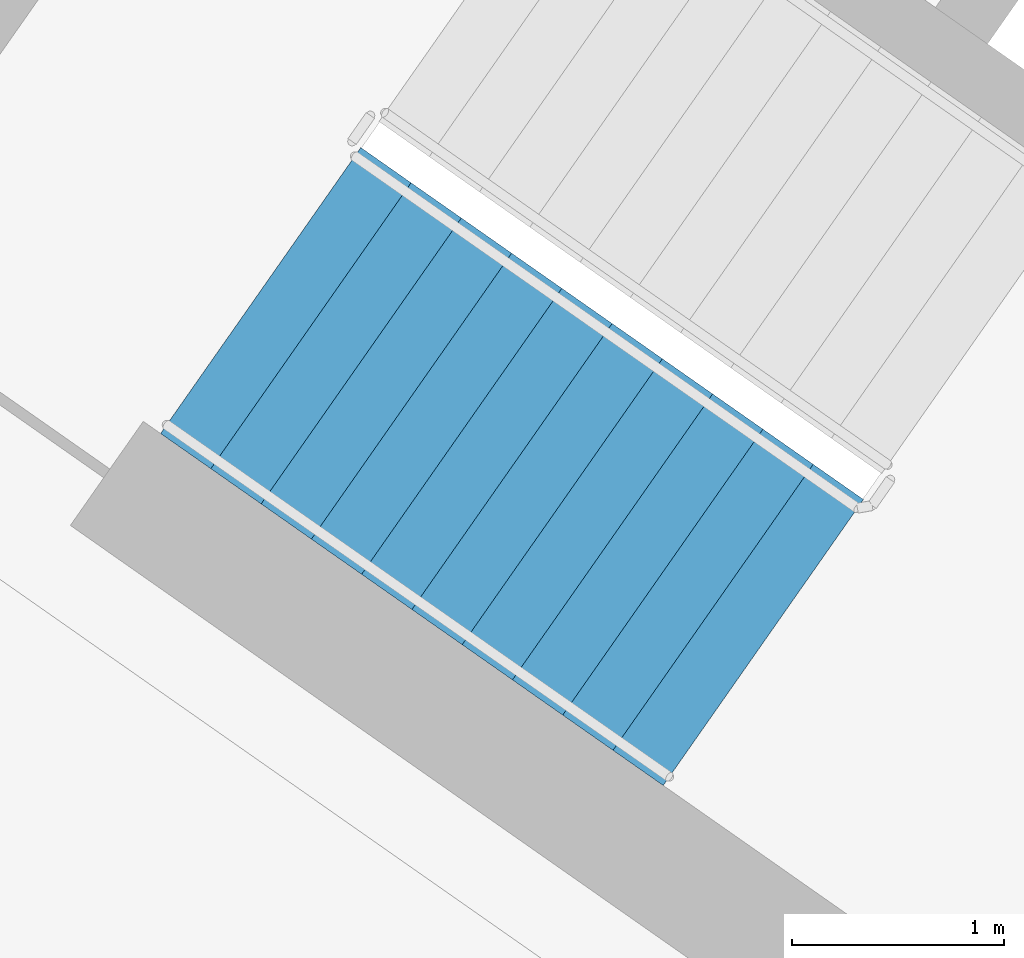
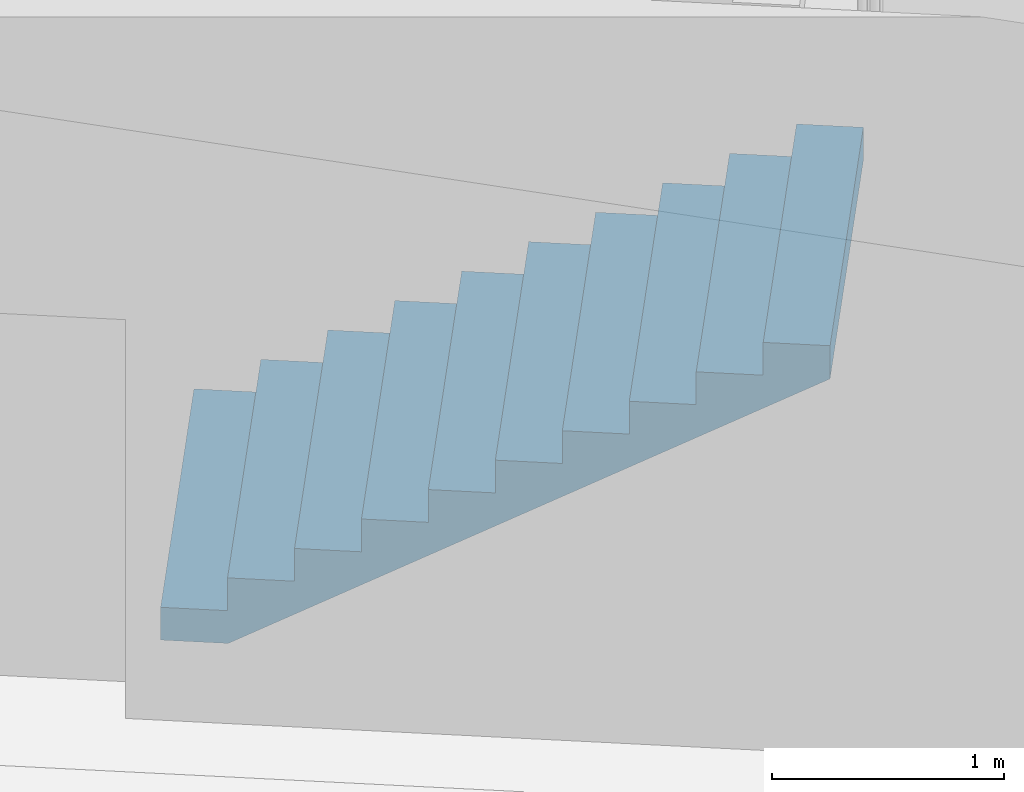
# One storey, part 10 of 28: 1 stair flight, 1 element without a shape of its own.
"""IFC4 building model written with IfcOpenShell, lengths in metres."""

from ifc_helpers import new_model, si_unit, direction, frame, origin, place, context, subcontext, project, spatial, faceted_brep, material, type_object, element, aggregate, save


model = new_model("IFC4")

# Units and contexts
model_context = context("Model", 3, precision=1e-05, world=origin(), true_north=direction((0.0, 1.0)))
body_context = subcontext(model_context, "Body", "Model", "MODEL_VIEW")
ifc_project = project(units=[si_unit("LENGTHUNIT", "METRE"), si_unit("AREAUNIT", "SQUARE_METRE"), si_unit("VOLUMEUNIT", "CUBIC_METRE"), si_unit("PLANEANGLEUNIT", "RADIAN"), si_unit("MASSUNIT", "GRAM", prefix="KILO")], contexts=[model_context])

# Site, building, storey
site_placement = place(None, origin())
site = spatial("IfcSite", under=ifc_project, at=site_placement, CompositionType="ELEMENT")
building_placement = place(site_placement, origin())
building = spatial("IfcBuilding", under=site, at=building_placement, Name="Qamariyya Broadcast Tower", CompositionType="ELEMENT")
storey_placement = place(building_placement, frame((0.0, 0.0, 269.5)))
storey = spatial("IfcBuildingStorey", under=building, at=storey_placement, Name="L65", CompositionType="ELEMENT", Elevation=269.5)

# Stair, stair flight
ifc_material = material(Name="Concrete C50/60", Category="concrete")
stair_type = type_object("IfcStairType", Name="Exit stair 22 risers of 173 mm", PredefinedType="HALF_TURN_STAIR", material=ifc_material)
stair_placement = place(storey_placement, origin())
stair = element("IfcStair", 1, at=stair_placement, inside=storey, type_object=stair_type, Name="L65 Stair W1", PredefinedType="HALF_TURN_STAIR")
stair_flight_type = type_object("IfcStairFlightType", Name="Exit stair flight 11 risers of 173 mm", PredefinedType="STRAIGHT", material=ifc_material)
stair_flight_placement = place(storey_placement, frame((-47.06884765625, -56.982666015625, 0.0), z_axis=(0.0, 0.0, 1.0), x_axis=(0.819152044289, -0.573576436351, 0.0)))
stair_flight = element("IfcStairFlight", 2, at=stair_flight_placement, type_object=stair_flight_type, Name="ST-W1 flight 1", NumberOfRisers=11, NumberOfTreads=10, PredefinedType="STRAIGHT", RiserHeight=0.172727273, TreadLength=0.29, context=body_context, shape_type="Brep", body=[
    faceted_brep([(0.0, 0.824951171875, 0.0), (0.0, 0.824951171875, 0.172607421875), (0.2900390625, 0.824951171875, 0.172607421875), (0.2900390625, 0.824951171875, 0.345458984375), (0.580078125, 0.824951171875, 0.345458984375), (0.580078125, 0.824951171875, 0.51806640625), (0.8701171875, 0.824951171875, 0.51806640625), (0.8701171875, 0.824951171875, 0.69091796875), (1.159912109375, 0.824951171875, 0.69091796875), (1.159912109375, 0.824951171875, 0.863525390625), (1.449951171875, 0.824951171875, 0.863525390625), (1.449951171875, 0.824951171875, 1.036376953125), (1.739990234375, 0.824951171875, 1.036376953125), (1.739990234375, 0.824951171875, 1.208984375), (2.030029296875, 0.824951171875, 1.208984375), (2.030029296875, 0.824951171875, 1.3818359375), (2.320068359375, 0.824951171875, 1.3818359375), (2.320068359375, 0.824951171875, 1.554443359375), (2.610107421875, 0.824951171875, 1.554443359375), (2.610107421875, 0.824951171875, 1.727294921875), (2.89990234375, 0.824951171875, 1.727294921875), (2.89990234375, 0.824951171875, 1.552734375), (0.29296875, 0.824951171875, 0.0), (0.29296875, -0.824951171875, 0.0), (2.89990234375, -0.824951171875, 1.552734375), (2.89990234375, -0.824951171875, 1.727294921875), (2.610107421875, -0.824951171875, 1.727294921875), (2.610107421875, -0.824951171875, 1.554443359375), (2.320068359375, -0.824951171875, 1.554443359375), (2.320068359375, -0.824951171875, 1.3818359375), (2.030029296875, -0.824951171875, 1.3818359375), (2.030029296875, -0.824951171875, 1.208984375), (1.739990234375, -0.824951171875, 1.208984375), (1.739990234375, -0.824951171875, 1.036376953125), (1.449951171875, -0.824951171875, 1.036376953125), (1.449951171875, -0.824951171875, 0.863525390625), (1.159912109375, -0.824951171875, 0.863525390625), (1.159912109375, -0.824951171875, 0.69091796875), (0.8701171875, -0.824951171875, 0.69091796875), (0.8701171875, -0.824951171875, 0.51806640625), (0.580078125, -0.824951171875, 0.51806640625), (0.580078125, -0.824951171875, 0.345458984375), (0.2900390625, -0.824951171875, 0.345458984375), (0.2900390625, -0.824951171875, 0.172607421875), (0.0, -0.824951171875, 0.172607421875), (0.0, -0.824951171875, 0.0), (0.0, 0.10009765625, 0.0), (0.0, 0.086669921875, 0.0), (0.0, 0.0732421875, 0.0), (0.0, 0.06005859375, 0.0), (0.0, 0.046630859375, 0.0), (0.0, 0.033447265625, 0.0), (0.0, 0.02001953125, 0.0), (0.0, 0.006591796875, 0.0), (0.0, -0.006591796875, 0.0), (0.0, -0.02001953125, 0.0), (0.0, -0.033447265625, 0.0), (0.0, -0.046630859375, 0.0), (0.0, -0.06005859375, 0.0), (0.0, -0.0732421875, 0.0), (0.0, -0.086669921875, 0.0), (0.0, -0.10009765625, 0.0), (0.0, -0.10009765625, 0.172607421875), (0.0, -0.086669921875, 0.172607421875), (0.0, -0.0732421875, 0.172607421875), (0.0, -0.06005859375, 0.172607421875), (0.0, -0.046630859375, 0.172607421875), (0.0, -0.033447265625, 0.172607421875), (0.0, -0.02001953125, 0.172607421875), (0.0, -0.006591796875, 0.172607421875), (0.0, 0.006591796875, 0.172607421875), (0.0, 0.02001953125, 0.172607421875), (0.0, 0.033447265625, 0.172607421875), (0.0, 0.046630859375, 0.172607421875), (0.0, 0.06005859375, 0.172607421875), (0.0, 0.0732421875, 0.172607421875), (0.0, 0.086669921875, 0.172607421875), (0.0, 0.10009765625, 0.172607421875), (0.2900390625, -0.10009765625, 0.172607421875), (0.2900390625, -0.086669921875, 0.172607421875), (0.2900390625, -0.0732421875, 0.172607421875), (0.2900390625, -0.06005859375, 0.172607421875), (0.2900390625, -0.046630859375, 0.172607421875), (0.2900390625, -0.033447265625, 0.172607421875), (0.2900390625, -0.02001953125, 0.172607421875), (0.2900390625, -0.006591796875, 0.172607421875), (0.2900390625, 0.006591796875, 0.172607421875), (0.2900390625, 0.02001953125, 0.172607421875), (0.2900390625, 0.033447265625, 0.172607421875), (0.2900390625, 0.046630859375, 0.172607421875), (0.2900390625, 0.06005859375, 0.172607421875), (0.2900390625, 0.0732421875, 0.172607421875), (0.2900390625, 0.086669921875, 0.172607421875), (0.2900390625, 0.10009765625, 0.172607421875), (0.2900390625, -0.10009765625, 0.345458984375), (0.2900390625, -0.086669921875, 0.345458984375), (0.2900390625, -0.0732421875, 0.345458984375), (0.2900390625, -0.06005859375, 0.345458984375), (0.2900390625, -0.046630859375, 0.345458984375), (0.2900390625, -0.033447265625, 0.345458984375), (0.2900390625, -0.02001953125, 0.345458984375), (0.2900390625, -0.006591796875, 0.345458984375), (0.2900390625, 0.006591796875, 0.345458984375), (0.2900390625, 0.02001953125, 0.345458984375), (0.2900390625, 0.033447265625, 0.345458984375), (0.2900390625, 0.046630859375, 0.345458984375), (0.2900390625, 0.06005859375, 0.345458984375), (0.2900390625, 0.0732421875, 0.345458984375), (0.2900390625, 0.086669921875, 0.345458984375), (0.2900390625, 0.10009765625, 0.345458984375), (0.580078125, -0.10009765625, 0.345458984375), (0.580078125, -0.086669921875, 0.345458984375), (0.580078125, -0.0732421875, 0.345458984375), (0.580078125, -0.06005859375, 0.345458984375), (0.580078125, -0.046630859375, 0.345458984375), (0.580078125, -0.033447265625, 0.345458984375), (0.580078125, -0.02001953125, 0.345458984375), (0.580078125, -0.006591796875, 0.345458984375), (0.580078125, 0.006591796875, 0.345458984375), (0.580078125, 0.02001953125, 0.345458984375), (0.580078125, 0.033447265625, 0.345458984375), (0.580078125, 0.046630859375, 0.345458984375), (0.580078125, 0.06005859375, 0.345458984375), (0.580078125, 0.0732421875, 0.345458984375), (0.580078125, 0.086669921875, 0.345458984375), (0.580078125, 0.10009765625, 0.345458984375), (0.580078125, -0.10009765625, 0.51806640625), (0.580078125, -0.086669921875, 0.51806640625), (0.580078125, -0.0732421875, 0.51806640625), (0.580078125, -0.06005859375, 0.51806640625), (0.580078125, -0.046630859375, 0.51806640625), (0.580078125, -0.033447265625, 0.51806640625), (0.580078125, -0.02001953125, 0.51806640625), (0.580078125, -0.006591796875, 0.51806640625), (0.580078125, 0.006591796875, 0.51806640625), (0.580078125, 0.02001953125, 0.51806640625), (0.580078125, 0.033447265625, 0.51806640625), (0.580078125, 0.046630859375, 0.51806640625), (0.580078125, 0.06005859375, 0.51806640625), (0.580078125, 0.0732421875, 0.51806640625), (0.580078125, 0.086669921875, 0.51806640625), (0.580078125, 0.10009765625, 0.51806640625), (0.8701171875, -0.10009765625, 0.51806640625), (0.8701171875, -0.086669921875, 0.51806640625), (0.8701171875, -0.0732421875, 0.51806640625), (0.8701171875, -0.06005859375, 0.51806640625), (0.8701171875, -0.046630859375, 0.51806640625), (0.8701171875, -0.033447265625, 0.51806640625), (0.8701171875, -0.02001953125, 0.51806640625), (0.8701171875, -0.006591796875, 0.51806640625), (0.8701171875, 0.006591796875, 0.51806640625), (0.8701171875, 0.02001953125, 0.51806640625), (0.8701171875, 0.033447265625, 0.51806640625), (0.8701171875, 0.046630859375, 0.51806640625), (0.8701171875, 0.06005859375, 0.51806640625), (0.8701171875, 0.0732421875, 0.51806640625), (0.8701171875, 0.086669921875, 0.51806640625), (0.8701171875, 0.10009765625, 0.51806640625), (0.8701171875, -0.10009765625, 0.69091796875), (0.8701171875, -0.086669921875, 0.69091796875), (0.8701171875, -0.0732421875, 0.69091796875), (0.8701171875, -0.06005859375, 0.69091796875), (0.8701171875, -0.046630859375, 0.69091796875), (0.8701171875, -0.033447265625, 0.69091796875), (0.8701171875, -0.02001953125, 0.69091796875), (0.8701171875, -0.006591796875, 0.69091796875), (0.8701171875, 0.006591796875, 0.69091796875), (0.8701171875, 0.02001953125, 0.69091796875), (0.8701171875, 0.033447265625, 0.69091796875), (0.8701171875, 0.046630859375, 0.69091796875), (0.8701171875, 0.06005859375, 0.69091796875), (0.8701171875, 0.0732421875, 0.69091796875), (0.8701171875, 0.086669921875, 0.69091796875), (0.8701171875, 0.10009765625, 0.69091796875), (1.159912109375, -0.10009765625, 0.69091796875), (1.159912109375, -0.086669921875, 0.69091796875), (1.159912109375, -0.0732421875, 0.69091796875), (1.159912109375, -0.06005859375, 0.69091796875), (1.159912109375, -0.046630859375, 0.69091796875), (1.159912109375, -0.033447265625, 0.69091796875), (1.159912109375, -0.02001953125, 0.69091796875), (1.159912109375, -0.006591796875, 0.69091796875), (1.159912109375, 0.006591796875, 0.69091796875), (1.159912109375, 0.02001953125, 0.69091796875), (1.159912109375, 0.033447265625, 0.69091796875), (1.159912109375, 0.046630859375, 0.69091796875), (1.159912109375, 0.06005859375, 0.69091796875), (1.159912109375, 0.0732421875, 0.69091796875), (1.159912109375, 0.086669921875, 0.69091796875), (1.159912109375, 0.10009765625, 0.69091796875), (1.159912109375, -0.10009765625, 0.863525390625), (1.159912109375, -0.086669921875, 0.863525390625), (1.159912109375, -0.0732421875, 0.863525390625), (1.159912109375, -0.06005859375, 0.863525390625), (1.159912109375, -0.046630859375, 0.863525390625), (1.159912109375, -0.033447265625, 0.863525390625), (1.159912109375, -0.02001953125, 0.863525390625), (1.159912109375, -0.006591796875, 0.863525390625), (1.159912109375, 0.006591796875, 0.863525390625), (1.159912109375, 0.02001953125, 0.863525390625), (1.159912109375, 0.033447265625, 0.863525390625), (1.159912109375, 0.046630859375, 0.863525390625), (1.159912109375, 0.06005859375, 0.863525390625), (1.159912109375, 0.0732421875, 0.863525390625), (1.159912109375, 0.086669921875, 0.863525390625), (1.159912109375, 0.10009765625, 0.863525390625), (1.449951171875, -0.10009765625, 0.863525390625), (1.449951171875, -0.086669921875, 0.863525390625), (1.449951171875, -0.0732421875, 0.863525390625), (1.449951171875, -0.06005859375, 0.863525390625), (1.449951171875, -0.046630859375, 0.863525390625), (1.449951171875, -0.033447265625, 0.863525390625), (1.449951171875, -0.02001953125, 0.863525390625), (1.449951171875, -0.006591796875, 0.863525390625), (1.449951171875, 0.006591796875, 0.863525390625), (1.449951171875, 0.02001953125, 0.863525390625), (1.449951171875, 0.033447265625, 0.863525390625), (1.449951171875, 0.046630859375, 0.863525390625), (1.449951171875, 0.06005859375, 0.863525390625), (1.449951171875, 0.0732421875, 0.863525390625), (1.449951171875, 0.086669921875, 0.863525390625), (1.449951171875, 0.10009765625, 0.863525390625), (1.449951171875, -0.10009765625, 1.036376953125), (1.449951171875, -0.086669921875, 1.036376953125), (1.449951171875, -0.0732421875, 1.036376953125), (1.449951171875, -0.06005859375, 1.036376953125), (1.449951171875, -0.046630859375, 1.036376953125), (1.449951171875, -0.033447265625, 1.036376953125), (1.449951171875, -0.02001953125, 1.036376953125), (1.449951171875, -0.006591796875, 1.036376953125), (1.449951171875, 0.006591796875, 1.036376953125), (1.449951171875, 0.02001953125, 1.036376953125), (1.449951171875, 0.033447265625, 1.036376953125), (1.449951171875, 0.046630859375, 1.036376953125), (1.449951171875, 0.06005859375, 1.036376953125), (1.449951171875, 0.0732421875, 1.036376953125), (1.449951171875, 0.086669921875, 1.036376953125), (1.449951171875, 0.10009765625, 1.036376953125), (1.739990234375, -0.10009765625, 1.036376953125), (1.739990234375, -0.086669921875, 1.036376953125), (1.739990234375, -0.0732421875, 1.036376953125), (1.739990234375, -0.06005859375, 1.036376953125), (1.739990234375, -0.046630859375, 1.036376953125), (1.739990234375, -0.033447265625, 1.036376953125), (1.739990234375, -0.02001953125, 1.036376953125), (1.739990234375, -0.006591796875, 1.036376953125), (1.739990234375, 0.006591796875, 1.036376953125), (1.739990234375, 0.02001953125, 1.036376953125), (1.739990234375, 0.033447265625, 1.036376953125), (1.739990234375, 0.046630859375, 1.036376953125), (1.739990234375, 0.06005859375, 1.036376953125), (1.739990234375, 0.0732421875, 1.036376953125), (1.739990234375, 0.086669921875, 1.036376953125), (1.739990234375, 0.10009765625, 1.036376953125), (1.739990234375, -0.10009765625, 1.208984375), (1.739990234375, -0.086669921875, 1.208984375), (1.739990234375, -0.0732421875, 1.208984375), (1.739990234375, -0.06005859375, 1.208984375), (1.739990234375, -0.046630859375, 1.208984375), (1.739990234375, -0.033447265625, 1.208984375), (1.739990234375, -0.02001953125, 1.208984375), (1.739990234375, -0.006591796875, 1.208984375), (1.739990234375, 0.006591796875, 1.208984375), (1.739990234375, 0.02001953125, 1.208984375), (1.739990234375, 0.033447265625, 1.208984375), (1.739990234375, 0.046630859375, 1.208984375), (1.739990234375, 0.06005859375, 1.208984375), (1.739990234375, 0.0732421875, 1.208984375), (1.739990234375, 0.086669921875, 1.208984375), (1.739990234375, 0.10009765625, 1.208984375), (2.030029296875, -0.10009765625, 1.208984375), (2.030029296875, -0.086669921875, 1.208984375), (2.030029296875, -0.0732421875, 1.208984375), (2.030029296875, -0.06005859375, 1.208984375), (2.030029296875, -0.046630859375, 1.208984375), (2.030029296875, -0.033447265625, 1.208984375), (2.030029296875, -0.02001953125, 1.208984375), (2.030029296875, -0.006591796875, 1.208984375), (2.030029296875, 0.006591796875, 1.208984375), (2.030029296875, 0.02001953125, 1.208984375), (2.030029296875, 0.033447265625, 1.208984375), (2.030029296875, 0.046630859375, 1.208984375), (2.030029296875, 0.06005859375, 1.208984375), (2.030029296875, 0.0732421875, 1.208984375), (2.030029296875, 0.086669921875, 1.208984375), (2.030029296875, 0.10009765625, 1.208984375), (2.030029296875, -0.10009765625, 1.3818359375), (2.030029296875, -0.086669921875, 1.3818359375), (2.030029296875, -0.0732421875, 1.3818359375), (2.030029296875, -0.06005859375, 1.3818359375), (2.030029296875, -0.046630859375, 1.3818359375), (2.030029296875, -0.033447265625, 1.3818359375), (2.030029296875, -0.02001953125, 1.3818359375), (2.030029296875, -0.006591796875, 1.3818359375), (2.030029296875, 0.006591796875, 1.3818359375), (2.030029296875, 0.02001953125, 1.3818359375), (2.030029296875, 0.033447265625, 1.3818359375), (2.030029296875, 0.046630859375, 1.3818359375), (2.030029296875, 0.06005859375, 1.3818359375), (2.030029296875, 0.0732421875, 1.3818359375), (2.030029296875, 0.086669921875, 1.3818359375), (2.030029296875, 0.10009765625, 1.3818359375), (2.320068359375, -0.10009765625, 1.3818359375), (2.320068359375, -0.086669921875, 1.3818359375), (2.320068359375, -0.0732421875, 1.3818359375), (2.320068359375, -0.06005859375, 1.3818359375), (2.320068359375, -0.046630859375, 1.3818359375), (2.320068359375, -0.033447265625, 1.3818359375), (2.320068359375, -0.02001953125, 1.3818359375), (2.320068359375, -0.006591796875, 1.3818359375), (2.320068359375, 0.006591796875, 1.3818359375), (2.320068359375, 0.02001953125, 1.3818359375), (2.320068359375, 0.033447265625, 1.3818359375), (2.320068359375, 0.046630859375, 1.3818359375), (2.320068359375, 0.06005859375, 1.3818359375), (2.320068359375, 0.0732421875, 1.3818359375), (2.320068359375, 0.086669921875, 1.3818359375), (2.320068359375, 0.10009765625, 1.3818359375), (2.320068359375, -0.10009765625, 1.554443359375), (2.320068359375, -0.086669921875, 1.554443359375), (2.320068359375, -0.0732421875, 1.554443359375), (2.320068359375, -0.06005859375, 1.554443359375), (2.320068359375, -0.046630859375, 1.554443359375), (2.320068359375, -0.033447265625, 1.554443359375), (2.320068359375, -0.02001953125, 1.554443359375), (2.320068359375, -0.006591796875, 1.554443359375), (2.320068359375, 0.006591796875, 1.554443359375), (2.320068359375, 0.02001953125, 1.554443359375), (2.320068359375, 0.033447265625, 1.554443359375), (2.320068359375, 0.046630859375, 1.554443359375), (2.320068359375, 0.06005859375, 1.554443359375), (2.320068359375, 0.0732421875, 1.554443359375), (2.320068359375, 0.086669921875, 1.554443359375), (2.320068359375, 0.10009765625, 1.554443359375), (2.610107421875, -0.10009765625, 1.554443359375), (2.610107421875, -0.086669921875, 1.554443359375), (2.610107421875, -0.0732421875, 1.554443359375), (2.610107421875, -0.06005859375, 1.554443359375), (2.610107421875, -0.046630859375, 1.554443359375), (2.610107421875, -0.033447265625, 1.554443359375), (2.610107421875, -0.02001953125, 1.554443359375), (2.610107421875, -0.006591796875, 1.554443359375), (2.610107421875, 0.006591796875, 1.554443359375), (2.610107421875, 0.02001953125, 1.554443359375), (2.610107421875, 0.033447265625, 1.554443359375), (2.610107421875, 0.046630859375, 1.554443359375), (2.610107421875, 0.06005859375, 1.554443359375), (2.610107421875, 0.0732421875, 1.554443359375), (2.610107421875, 0.086669921875, 1.554443359375), (2.610107421875, 0.10009765625, 1.554443359375), (2.610107421875, -0.10009765625, 1.727294921875), (2.610107421875, -0.086669921875, 1.727294921875), (2.610107421875, -0.0732421875, 1.727294921875), (2.610107421875, -0.06005859375, 1.727294921875), (2.610107421875, -0.046630859375, 1.727294921875), (2.610107421875, -0.033447265625, 1.727294921875), (2.610107421875, -0.02001953125, 1.727294921875), (2.610107421875, -0.006591796875, 1.727294921875), (2.610107421875, 0.006591796875, 1.727294921875), (2.610107421875, 0.02001953125, 1.727294921875), (2.610107421875, 0.033447265625, 1.727294921875), (2.610107421875, 0.046630859375, 1.727294921875), (2.610107421875, 0.06005859375, 1.727294921875), (2.610107421875, 0.0732421875, 1.727294921875), (2.610107421875, 0.086669921875, 1.727294921875), (2.610107421875, 0.10009765625, 1.727294921875), (2.89990234375, -0.10009765625, 1.727294921875), (2.89990234375, -0.086669921875, 1.727294921875), (2.89990234375, -0.0732421875, 1.727294921875), (2.89990234375, -0.06005859375, 1.727294921875), (2.89990234375, -0.046630859375, 1.727294921875), (2.89990234375, -0.033447265625, 1.727294921875), (2.89990234375, -0.02001953125, 1.727294921875), (2.89990234375, -0.006591796875, 1.727294921875), (2.89990234375, 0.006591796875, 1.727294921875), (2.89990234375, 0.02001953125, 1.727294921875), (2.89990234375, 0.033447265625, 1.727294921875), (2.89990234375, 0.046630859375, 1.727294921875), (2.89990234375, 0.06005859375, 1.727294921875), (2.89990234375, 0.0732421875, 1.727294921875), (2.89990234375, 0.086669921875, 1.727294921875), (2.89990234375, 0.10009765625, 1.727294921875), (2.89990234375, -0.10009765625, 1.552734375), (2.89990234375, -0.086669921875, 1.552734375), (2.89990234375, -0.0732421875, 1.552734375), (2.89990234375, -0.06005859375, 1.552734375), (2.89990234375, -0.046630859375, 1.552734375), (2.89990234375, -0.033447265625, 1.552734375), (2.89990234375, -0.02001953125, 1.552734375), (2.89990234375, -0.006591796875, 1.552734375), (2.89990234375, 0.006591796875, 1.552734375), (2.89990234375, 0.02001953125, 1.552734375), (2.89990234375, 0.033447265625, 1.552734375), (2.89990234375, 0.046630859375, 1.552734375), (2.89990234375, 0.06005859375, 1.552734375), (2.89990234375, 0.0732421875, 1.552734375), (2.89990234375, 0.086669921875, 1.552734375), (2.89990234375, 0.10009765625, 1.552734375), (0.29296875, -0.10009765625, 0.0), (0.29296875, -0.086669921875, 0.0), (0.29296875, -0.0732421875, 0.0), (0.29296875, -0.06005859375, 0.0), (0.29296875, -0.046630859375, 0.0), (0.29296875, -0.033447265625, 0.0), (0.29296875, -0.02001953125, 0.0), (0.29296875, -0.006591796875, 0.0), (0.29296875, 0.006591796875, 0.0), (0.29296875, 0.02001953125, 0.0), (0.29296875, 0.033447265625, 0.0), (0.29296875, 0.046630859375, 0.0), (0.29296875, 0.06005859375, 0.0), (0.29296875, 0.0732421875, 0.0), (0.29296875, 0.086669921875, 0.0), (0.29296875, 0.10009765625, 0.0)], [[[0, 1, 2, 3, 4, 5, 6, 7, 8, 9, 10, 11, 12, 13, 14, 15, 16, 17, 18, 19, 20, 21, 22]], [[23, 24, 25, 26, 27, 28, 29, 30, 31, 32, 33, 34, 35, 36, 37, 38, 39, 40, 41, 42, 43, 44, 45]], [[0, 46, 47, 48, 49, 50, 51, 52, 53, 54, 55, 56, 57, 58, 59, 60, 61, 45, 44, 62, 63, 64, 65, 66, 67, 68, 69, 70, 71, 72, 73, 74, 75, 76, 77, 1]], [[1, 77, 76, 75, 74, 73, 72, 71, 70, 69, 68, 67, 66, 65, 64, 63, 62, 44, 43, 78, 79, 80, 81, 82, 83, 84, 85, 86, 87, 88, 89, 90, 91, 92, 93, 2]], [[2, 93, 92, 91, 90, 89, 88, 87, 86, 85, 84, 83, 82, 81, 80, 79, 78, 43, 42, 94, 95, 96, 97, 98, 99, 100, 101, 102, 103, 104, 105, 106, 107, 108, 109, 3]], [[3, 109, 108, 107, 106, 105, 104, 103, 102, 101, 100, 99, 98, 97, 96, 95, 94, 42, 41, 110, 111, 112, 113, 114, 115, 116, 117, 118, 119, 120, 121, 122, 123, 124, 125, 4]], [[4, 125, 124, 123, 122, 121, 120, 119, 118, 117, 116, 115, 114, 113, 112, 111, 110, 41, 40, 126, 127, 128, 129, 130, 131, 132, 133, 134, 135, 136, 137, 138, 139, 140, 141, 5]], [[5, 141, 140, 139, 138, 137, 136, 135, 134, 133, 132, 131, 130, 129, 128, 127, 126, 40, 39, 142, 143, 144, 145, 146, 147, 148, 149, 150, 151, 152, 153, 154, 155, 156, 157, 6]], [[6, 157, 156, 155, 154, 153, 152, 151, 150, 149, 148, 147, 146, 145, 144, 143, 142, 39, 38, 158, 159, 160, 161, 162, 163, 164, 165, 166, 167, 168, 169, 170, 171, 172, 173, 7]], [[7, 173, 172, 171, 170, 169, 168, 167, 166, 165, 164, 163, 162, 161, 160, 159, 158, 38, 37, 174, 175, 176, 177, 178, 179, 180, 181, 182, 183, 184, 185, 186, 187, 188, 189, 8]], [[8, 189, 188, 187, 186, 185, 184, 183, 182, 181, 180, 179, 178, 177, 176, 175, 174, 37, 36, 190, 191, 192, 193, 194, 195, 196, 197, 198, 199, 200, 201, 202, 203, 204, 205, 9]], [[9, 205, 204, 203, 202, 201, 200, 199, 198, 197, 196, 195, 194, 193, 192, 191, 190, 36, 35, 206, 207, 208, 209, 210, 211, 212, 213, 214, 215, 216, 217, 218, 219, 220, 221, 10]], [[10, 221, 220, 219, 218, 217, 216, 215, 214, 213, 212, 211, 210, 209, 208, 207, 206, 35, 34, 222, 223, 224, 225, 226, 227, 228, 229, 230, 231, 232, 233, 234, 235, 236, 237, 11]], [[11, 237, 236, 235, 234, 233, 232, 231, 230, 229, 228, 227, 226, 225, 224, 223, 222, 34, 33, 238, 239, 240, 241, 242, 243, 244, 245, 246, 247, 248, 249, 250, 251, 252, 253, 12]], [[12, 253, 252, 251, 250, 249, 248, 247, 246, 245, 244, 243, 242, 241, 240, 239, 238, 33, 32, 254, 255, 256, 257, 258, 259, 260, 261, 262, 263, 264, 265, 266, 267, 268, 269, 13]], [[13, 269, 268, 267, 266, 265, 264, 263, 262, 261, 260, 259, 258, 257, 256, 255, 254, 32, 31, 270, 271, 272, 273, 274, 275, 276, 277, 278, 279, 280, 281, 282, 283, 284, 285, 14]], [[14, 285, 284, 283, 282, 281, 280, 279, 278, 277, 276, 275, 274, 273, 272, 271, 270, 31, 30, 286, 287, 288, 289, 290, 291, 292, 293, 294, 295, 296, 297, 298, 299, 300, 301, 15]], [[15, 301, 300, 299, 298, 297, 296, 295, 294, 293, 292, 291, 290, 289, 288, 287, 286, 30, 29, 302, 303, 304, 305, 306, 307, 308, 309, 310, 311, 312, 313, 314, 315, 316, 317, 16]], [[16, 317, 316, 315, 314, 313, 312, 311, 310, 309, 308, 307, 306, 305, 304, 303, 302, 29, 28, 318, 319, 320, 321, 322, 323, 324, 325, 326, 327, 328, 329, 330, 331, 332, 333, 17]], [[17, 333, 332, 331, 330, 329, 328, 327, 326, 325, 324, 323, 322, 321, 320, 319, 318, 28, 27, 334, 335, 336, 337, 338, 339, 340, 341, 342, 343, 344, 345, 346, 347, 348, 349, 18]], [[18, 349, 348, 347, 346, 345, 344, 343, 342, 341, 340, 339, 338, 337, 336, 335, 334, 27, 26, 350, 351, 352, 353, 354, 355, 356, 357, 358, 359, 360, 361, 362, 363, 364, 365, 19]], [[19, 365, 364, 363, 362, 361, 360, 359, 358, 357, 356, 355, 354, 353, 352, 351, 350, 26, 25, 366, 367, 368, 369, 370, 371, 372, 373, 374, 375, 376, 377, 378, 379, 380, 381, 20]], [[20, 381, 380, 379, 378, 377, 376, 375, 374, 373, 372, 371, 370, 369, 368, 367, 366, 25, 24, 382, 383, 384, 385, 386, 387, 388, 389, 390, 391, 392, 393, 394, 395, 396, 397, 21]], [[21, 397, 396, 395, 394, 393, 392, 391, 390, 389, 388, 387, 386, 385, 384, 383, 382, 24, 23, 398, 399, 400, 401, 402, 403, 404, 405, 406, 407, 408, 409, 410, 411, 412, 413, 22]], [[22, 413, 412, 411, 410, 409, 408, 407, 406, 405, 404, 403, 402, 401, 400, 399, 398, 23, 45, 61, 60, 59, 58, 57, 56, 55, 54, 53, 52, 51, 50, 49, 48, 47, 46, 0]]]),
])
aggregate(stair, [stair_flight])

save(model, "model.ifc")
